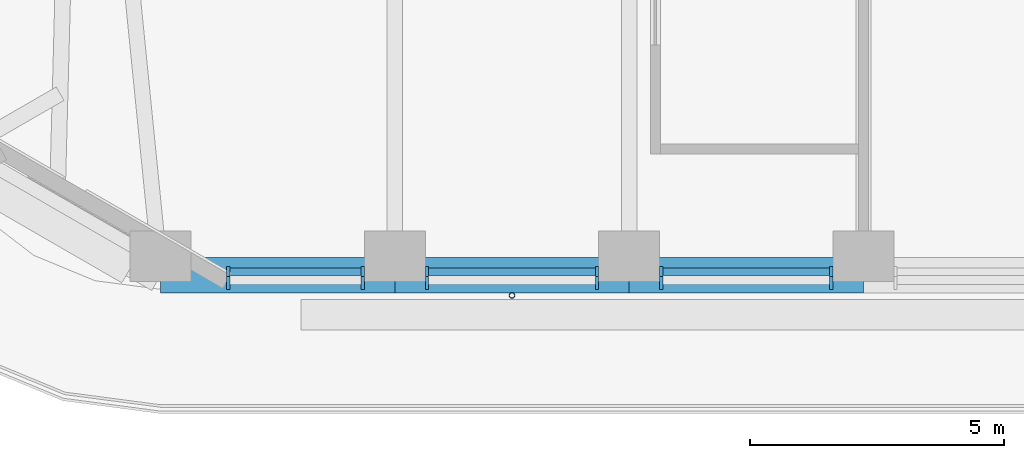
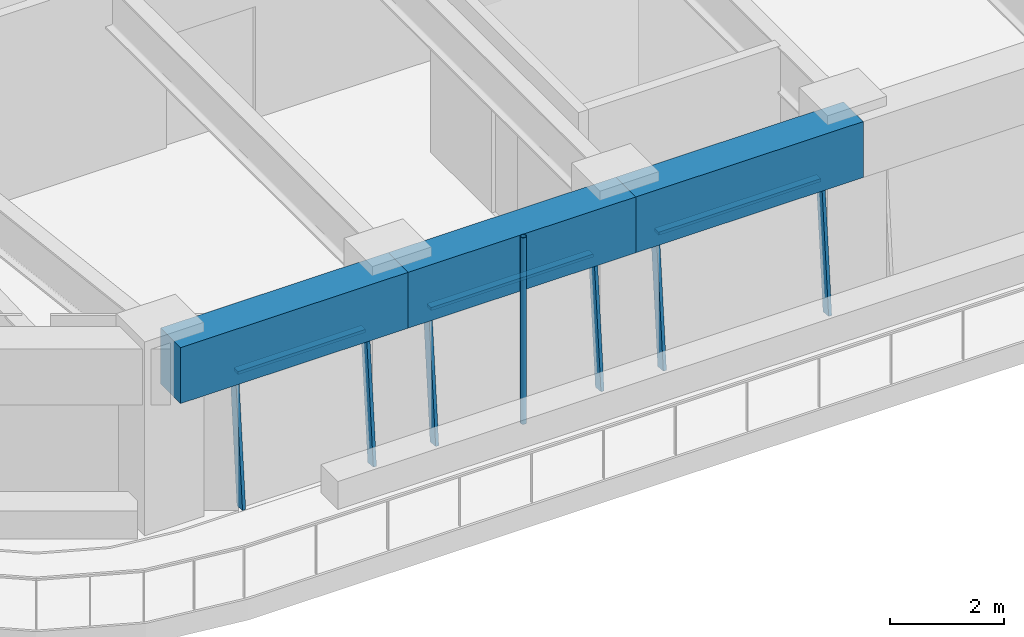
# One storey, part 2 of 20: 10 members, 3 beams, 3 elements without a shape of their own.
"""IFC4 building model written with IfcOpenShell, lengths in metres."""

from ifc_helpers import new_model, si_unit, direction, frame, origin, origin_2d, place, context, subcontext, project, spatial, rectangle, hollow_circle, extrude, material, material_profile, profile_set, type_object, element, aggregate, save


model = new_model("IFC4")

# Units and contexts
model_context = context("Model", 3, precision=1e-05, world=origin(), true_north=direction((0.0, 1.0)))
body_context = subcontext(model_context, "Body", "Model", "MODEL_VIEW")
ifc_project = project(units=[si_unit("LENGTHUNIT", "METRE"), si_unit("AREAUNIT", "SQUARE_METRE"), si_unit("VOLUMEUNIT", "CUBIC_METRE"), si_unit("PLANEANGLEUNIT", "RADIAN"), si_unit("MASSUNIT", "GRAM", prefix="KILO")], contexts=[model_context])

# Site, building, storey
site_placement = place(None, origin())
site = spatial("IfcSite", under=ifc_project, at=site_placement, CompositionType="ELEMENT")
building_placement = place(site_placement, origin())
building = spatial("IfcBuilding", under=site, at=building_placement, Name="Tarfa Lantern Tower", CompositionType="ELEMENT")
storey_placement = place(building_placement, frame((0.0, 0.0, 261.699951171875)))
storey = spatial("IfcBuildingStorey", under=building, at=storey_placement, Name="L59", CompositionType="ELEMENT", Elevation=261.699951171875)

# Curtain wall, members
ifc_material_1 = material(Name="Aluminium framed curtain wall", Category="aluminium")
curtain_wall_type = type_object("IfcCurtainWallType", Name="CW3 CANTED GLAZING HIGH ZONE 2800", PredefinedType="USERDEFINED", material=ifc_material_1)
curtain_wall_1_placement = place(storey_placement, origin())
curtain_wall_1 = element("IfcCurtainWall", 1, at=curtain_wall_1_placement, inside=storey, type_object=curtain_wall_type, Name="CW3 S L59", ObjectType="CURTAIN WALL", PredefinedType="USERDEFINED")
ifc_material_2 = material(Name="Aluminium mullion", Category="aluminium")
ifc_material_profile_1 = material_profile(ifc_material_2, rectangle(XDim=0.06494140625, YDim=0.199951171875, at=origin_2d()), Name="AL MULLION 65x200")
ifc_profile_set_1 = profile_set([ifc_material_profile_1], Name="Aluminium mullion")
member_type_1 = type_object("IfcMemberType", Name="CWM1 MULLION 65x200", PredefinedType="MULLION", material=ifc_profile_set_1)
member_1_placement = place(storey_placement, frame((-12.52392578125, -28.89990234375, 0.0), z_axis=(0.0, 0.088930399417, 0.996037842685), x_axis=(-1.0, 0.0, 0.0)))
member_1 = element("IfcMember", 2, at=member_1_placement, type_object=member_type_1, Name="CW3 mullion 1", PredefinedType="MULLION", context=body_context, shape_type="SweptSolid", body=[
    extrude(rectangle(XDim=0.06494140625, YDim=0.199951171875, at=origin_2d()), origin(), (0.0, 0.0, 1.0), 2.811279296875),
])
member_2_placement = place(storey_placement, frame((-9.8701171875, -28.89990234375, 0.0), z_axis=(0.0, 0.088930399417, 0.996037842685), x_axis=(-1.0, 0.0, 0.0)))
member_2 = element("IfcMember", 3, at=member_2_placement, type_object=member_type_1, Name="CW3 mullion 2", PredefinedType="MULLION", context=body_context, shape_type="SweptSolid", body=[
    extrude(rectangle(XDim=0.06494140625, YDim=0.199951171875, at=origin_2d()), origin(), (0.0, 0.0, 1.0), 2.811279296875),
])

curtain_wall_2_placement = place(storey_placement, origin())
curtain_wall_2 = element("IfcCurtainWall", 4, at=curtain_wall_2_placement, inside=storey, type_object=curtain_wall_type, Name="CW3 S L59", ObjectType="CURTAIN WALL", PredefinedType="USERDEFINED")
member_3_placement = place(storey_placement, frame((-8.605224609375, -28.89990234375, 0.0), z_axis=(0.0, 0.088930399417, 0.996037842685), x_axis=(-1.0, 0.0, 0.0)))
member_3 = element("IfcMember", 5, at=member_3_placement, type_object=member_type_1, Name="CW3 mullion 1", PredefinedType="MULLION", context=body_context, shape_type="SweptSolid", body=[
    extrude(rectangle(XDim=0.06494140625, YDim=0.199951171875, at=origin_2d()), origin(), (0.0, 0.0, 1.0), 2.811279296875),
])
member_4_placement = place(storey_placement, frame((-5.251220703125, -28.89990234375, 0.0), z_axis=(0.0, 0.088930399417, 0.996037842685), x_axis=(-1.0, 0.0, 0.0)))
member_4 = element("IfcMember", 6, at=member_4_placement, type_object=member_type_1, Name="CW3 mullion 2", PredefinedType="MULLION", context=body_context, shape_type="SweptSolid", body=[
    extrude(rectangle(XDim=0.06494140625, YDim=0.199951171875, at=origin_2d()), origin(), (0.0, 0.0, 1.0), 2.811279296875),
])

curtain_wall_3_placement = place(storey_placement, origin())
curtain_wall_3 = element("IfcCurtainWall", 7, at=curtain_wall_3_placement, inside=storey, type_object=curtain_wall_type, Name="CW3 S L59", ObjectType="CURTAIN WALL", PredefinedType="USERDEFINED")
member_5_placement = place(storey_placement, frame((-3.986328125, -28.89990234375, 0.0), z_axis=(0.0, 0.088930399417, 0.996037842685), x_axis=(-1.0, 0.0, 0.0)))
member_5 = element("IfcMember", 8, at=member_5_placement, type_object=member_type_1, Name="CW3 mullion 1", PredefinedType="MULLION", context=body_context, shape_type="SweptSolid", body=[
    extrude(rectangle(XDim=0.06494140625, YDim=0.199951171875, at=origin_2d()), origin(), (0.0, 0.0, 1.0), 2.811279296875),
])
member_6_placement = place(storey_placement, frame((-0.632568359375, -28.89990234375, 0.0), z_axis=(0.0, 0.088930399417, 0.996037842685), x_axis=(-1.0, 0.0, 0.0)))
member_6 = element("IfcMember", 9, at=member_6_placement, type_object=member_type_1, Name="CW3 mullion 2", PredefinedType="MULLION", context=body_context, shape_type="SweptSolid", body=[
    extrude(rectangle(XDim=0.06494140625, YDim=0.199951171875, at=origin_2d()), origin(), (0.0, 0.0, 1.0), 2.811279296875),
])

# Member
ifc_material_3 = material(Name="Aluminium transom", Category="aluminium")
ifc_material_profile_2 = material_profile(ifc_material_3, rectangle(XDim=0.14990234375, YDim=0.06494140625, at=origin_2d()), Name="AL TRANSOM 150x65")
ifc_profile_set_2 = profile_set([ifc_material_profile_2], Name="Aluminium transom")
member_type_2 = type_object("IfcMemberType", Name="CWT1 TRANSOM 150x65", PredefinedType="USERDEFINED", material=ifc_profile_set_2)
member_7_placement = place(storey_placement, frame((-12.491455078125, -28.65283203125, 2.767578125), z_axis=(1.0, 0.0, 0.0), x_axis=(0.0, 1.0, 0.0)))
member_7 = element("IfcMember", 10, at=member_7_placement, type_object=member_type_2, Name="CW3 transom 1.2", ObjectType="TRANSOM", PredefinedType="USERDEFINED", context=body_context, shape_type="SweptSolid", body=[
    extrude(rectangle(XDim=0.14990234375, YDim=0.06494140625, at=origin_2d()), origin(), (0.0, 0.0, 1.0), 2.5888671875),
])

aggregate(curtain_wall_1, [member_1, member_2, member_7])

member_8_placement = place(storey_placement, frame((-8.572509765625, -28.65283203125, 2.767578125), z_axis=(1.0, 0.0, 0.0), x_axis=(0.0, 1.0, 0.0)))
member_8 = element("IfcMember", 11, at=member_8_placement, type_object=member_type_2, Name="CW3 transom 1.2", ObjectType="TRANSOM", PredefinedType="USERDEFINED", context=body_context, shape_type="SweptSolid", body=[
    extrude(rectangle(XDim=0.14990234375, YDim=0.06494140625, at=origin_2d()), origin(), (0.0, 0.0, 1.0), 3.288818359375),
])

aggregate(curtain_wall_2, [member_3, member_4, member_8])

member_9_placement = place(storey_placement, frame((-3.953857421875, -28.65283203125, 2.767578125), z_axis=(1.0, 0.0, 0.0), x_axis=(0.0, 1.0, 0.0)))
member_9 = element("IfcMember", 12, at=member_9_placement, type_object=member_type_2, Name="CW3 transom 1.2", ObjectType="TRANSOM", PredefinedType="USERDEFINED", context=body_context, shape_type="SweptSolid", body=[
    extrude(rectangle(XDim=0.14990234375, YDim=0.06494140625, at=origin_2d()), origin(), (0.0, 0.0, 1.0), 3.288818359375),
])

aggregate(curtain_wall_3, [member_5, member_6, member_9])

# Beams
ifc_material_4 = material(Name="Concrete C80/95", Category="concrete")
ifc_material_profile_3 = material_profile(ifc_material_4, rectangle(XDim=0.699951171875, YDim=1.199951171875, at=origin_2d()), Name="RC 700x1200")
ifc_profile_set_3 = profile_set([ifc_material_profile_3], Name="Concrete C80/95")
beam_type = type_object("IfcBeamType", Name="EB3 RC 700x1200", PredefinedType="SPANDREL", material=ifc_profile_set_3)
beam_1_placement = place(storey_placement, frame((-13.8564453125, -28.719970703125, 3.400146484375), z_axis=(1.0, 0.0, 0.0), x_axis=(0.0, 1.0, 0.0)))
element("IfcBeam", 13, at=beam_1_placement, inside=storey, type_object=beam_type, Name="Edge beam S0", PredefinedType="SPANDREL", context=body_context, shape_type="SweptSolid", body=[
    extrude(rectangle(XDim=0.699951171875, YDim=1.199951171875, at=origin_2d()), origin(), (0.0, 0.0, 1.0), 4.618896484375),
])
beam_2_placement = place(storey_placement, frame((-9.237548828125, -28.719970703125, 3.400146484375), z_axis=(1.0, 0.0, 0.0), x_axis=(0.0, 1.0, 0.0)))
element("IfcBeam", 14, at=beam_2_placement, inside=storey, type_object=beam_type, Name="Edge beam S1", PredefinedType="SPANDREL", context=body_context, shape_type="SweptSolid", body=[
    extrude(rectangle(XDim=0.699951171875, YDim=1.199951171875, at=origin_2d()), origin(), (0.0, 0.0, 1.0), 4.61865234375),
])
beam_3_placement = place(storey_placement, frame((-4.618896484375, -28.719970703125, 3.400146484375), z_axis=(1.0, 0.0, 0.0), x_axis=(0.0, 1.0, 0.0)))
element("IfcBeam", 15, at=beam_3_placement, inside=storey, type_object=beam_type, Name="Edge beam S2", PredefinedType="SPANDREL", context=body_context, shape_type="SweptSolid", body=[
    extrude(rectangle(XDim=0.699951171875, YDim=1.199951171875, at=origin_2d()), origin(), (0.0, 0.0, 1.0), 4.618896484375),
])

# Member
ifc_material_5 = material(Name="Steel S355", Category="steel")
ifc_material_profile_4 = material_profile(ifc_material_5, hollow_circle(Radius=0.05712890625, WallThickness=0.00634765625, at=origin_2d()), Name="CHS114.3x6.3")
ifc_profile_set_4 = profile_set([ifc_material_profile_4], Name="Steel S355")
member_type_3 = type_object("IfcMemberType", Name="TR1 GREEN WALL TRELLIS CHS114.3x6.3", PredefinedType="USERDEFINED", material=ifc_profile_set_4)
member_10_placement = place(storey_placement, frame((-6.92822265625, -29.1201171875, 0.0), z_axis=(0.0, 0.0, 1.0), x_axis=(1.0, 0.0, 0.0)))
element("IfcMember", 16, at=member_10_placement, inside=storey, type_object=member_type_3, Name="Trellis post S 1", ObjectType="TRELLIS", PredefinedType="USERDEFINED", context=body_context, shape_type="SweptSolid", body=[
    extrude(hollow_circle(Radius=0.05712890625, WallThickness=0.00634765625, at=origin_2d()), origin(), (0.0, 0.0, 1.0), 4.0),
])

save(model, "model.ifc")
